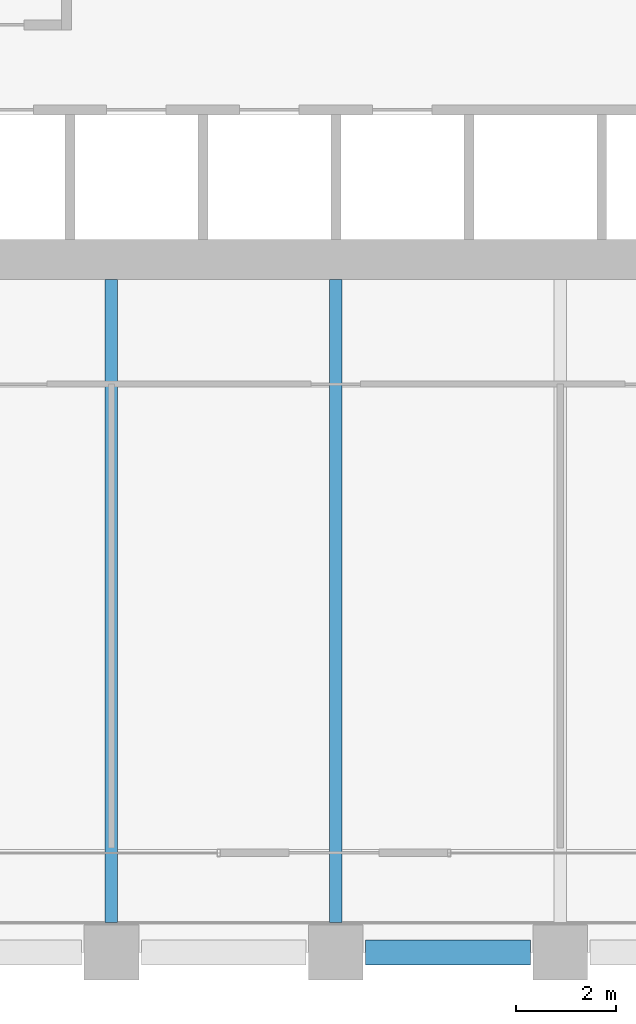
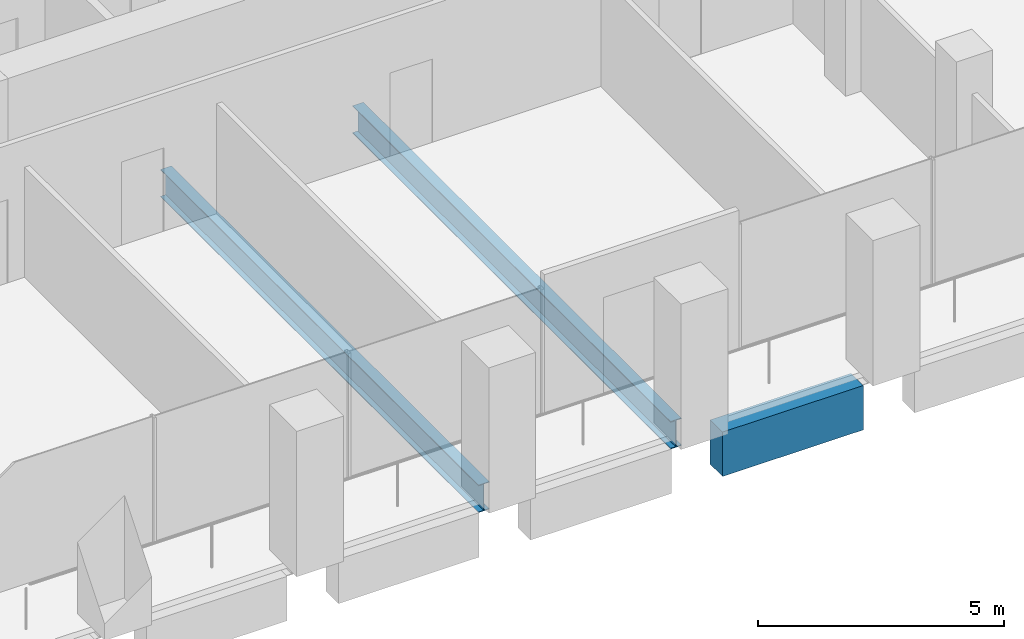
# One storey, part 8 of 55: 3 beams.
"""IFC4 building model written with IfcOpenShell, lengths in metres."""

from ifc_helpers import new_model, si_unit, direction, frame, origin, origin_2d, place, context, subcontext, project, spatial, rectangle, i_section, extrude, material, material_profile, profile_set, type_object, element, save


model = new_model("IFC4")

# Units and contexts
model_context = context("Model", 3, precision=1e-05, world=origin(), true_north=direction((0.0, 1.0)))
body_context = subcontext(model_context, "Body", "Model", "MODEL_VIEW")
ifc_project = project(units=[si_unit("LENGTHUNIT", "METRE"), si_unit("AREAUNIT", "SQUARE_METRE"), si_unit("VOLUMEUNIT", "CUBIC_METRE"), si_unit("PLANEANGLEUNIT", "RADIAN"), si_unit("MASSUNIT", "GRAM", prefix="KILO")], contexts=[model_context])

# Site, building, storey
site_placement = place(None, origin())
site = spatial("IfcSite", under=ifc_project, at=site_placement, CompositionType="ELEMENT")
building_placement = place(site_placement, origin())
building = spatial("IfcBuilding", under=site, at=building_placement, Name="Altepetl Exchange Towers", CompositionType="ELEMENT")
storey_placement = place(building_placement, frame((0.0, 0.0, 47.39990234375)))
storey = spatial("IfcBuildingStorey", under=building, at=storey_placement, Name="L10", CompositionType="ELEMENT", Elevation=47.39990234375)

# Beams
ifc_material_1 = material(Name="Steel S355", Category="steel")
ifc_material_profile_1 = material_profile(ifc_material_1, i_section(OverallWidth=0.25390625, OverallDepth=0.68408203125, WebThickness=0.012451171875, FlangeThickness=0.018798828125, at=origin_2d()), Name="W27X94")
ifc_profile_set_1 = profile_set([ifc_material_profile_1], Name="Steel S355")
beam_type_1 = type_object("IfcBeamType", Name="Floor beam W27X94", PredefinedType="BEAM", material=ifc_profile_set_1)
for number, where, z_axis, x_axis, name in (
    (1, (45.0, 27.60009765625, -0.491943359375), (0.0, 1.0, 0.0), (-1.0, 0.0, 0.0), "bm:A:L10:015"),
    (2, (49.5, 27.60009765625, -0.491943359375), (0.0, 1.0, 0.0), (-1.0, 0.0, 0.0), "bm:A:L10:016"),
):
    element("IfcBeam", number, at=place(storey_placement, frame(where, z_axis=z_axis, x_axis=x_axis)), inside=storey, type_object=beam_type_1, Name=name, PredefinedType="BEAM", context=body_context, shape_type="SweptSolid", body=[
        extrude(i_section(OverallWidth=0.25390625, OverallDepth=0.68408203125, WebThickness=0.012451171875, FlangeThickness=0.018798828125, at=origin_2d()), origin(), (0.0, 0.0, 1.0), 12.89990234375),
    ])
ifc_material_2 = material(Name="Concrete C50/60 precast with cantera blanca facing", Category="concrete")
ifc_material_profile_2 = material_profile(ifc_material_2, rectangle(XDim=0.5, YDim=1.10009765625, at=origin_2d()), Name="500 x 1100")
ifc_profile_set_2 = profile_set([ifc_material_profile_2], Name="Concrete C50/60 precast with cantera blanca facing")
beam_type_2 = type_object("IfcBeamType", Name="Spandrel beam 500x1100 cantera blanca", PredefinedType="SPANDREL", material=ifc_profile_set_2)
beam_placement = place(storey_placement, frame((50.10009765625, 27.0, -0.699951171875), z_axis=(1.0, 0.0, 0.0), x_axis=(0.0, 1.0, 0.0)))
element("IfcBeam", 3, at=beam_placement, inside=storey, type_object=beam_type_2, Name="sp:A:L10:004", PredefinedType="SPANDREL", context=body_context, shape_type="SweptSolid", body=[
    extrude(rectangle(XDim=0.5, YDim=1.10009765625, at=origin_2d()), origin(), (0.0, 0.0, 1.0), 3.2998046875),
])

save(model, "model.ifc")
